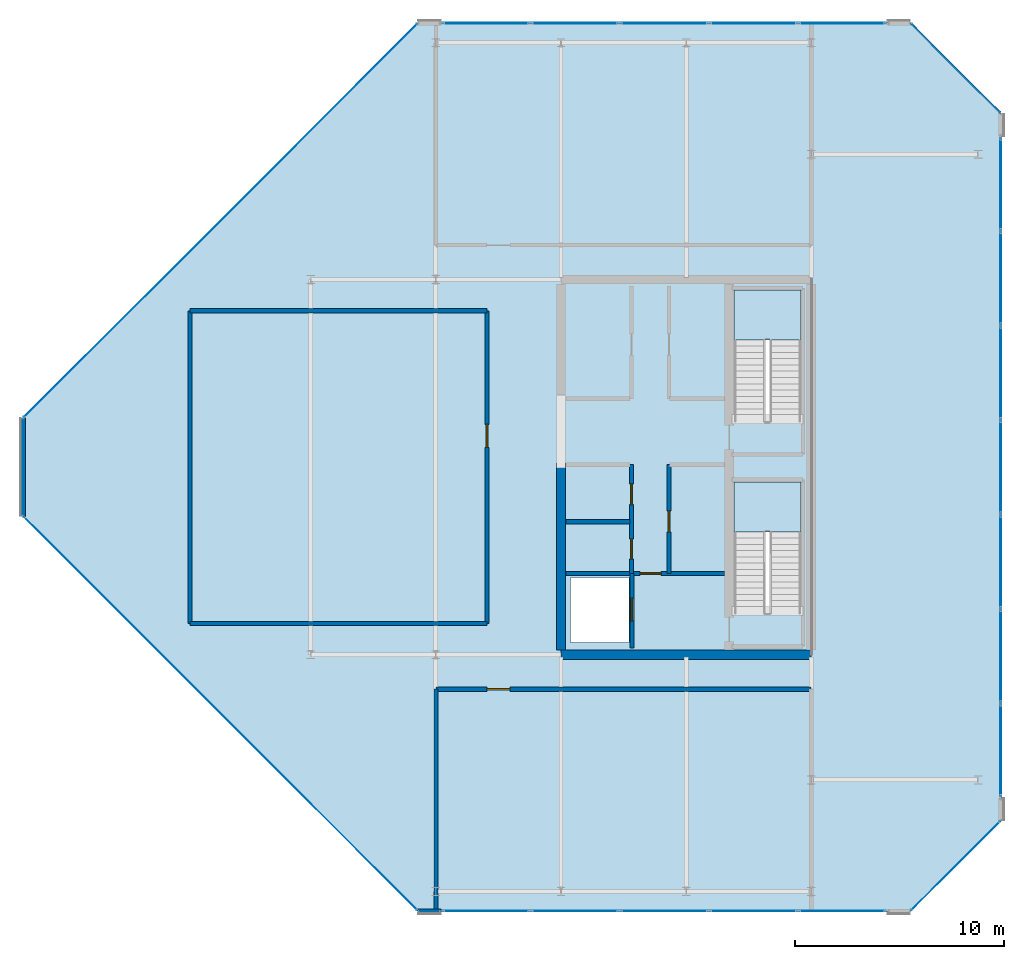
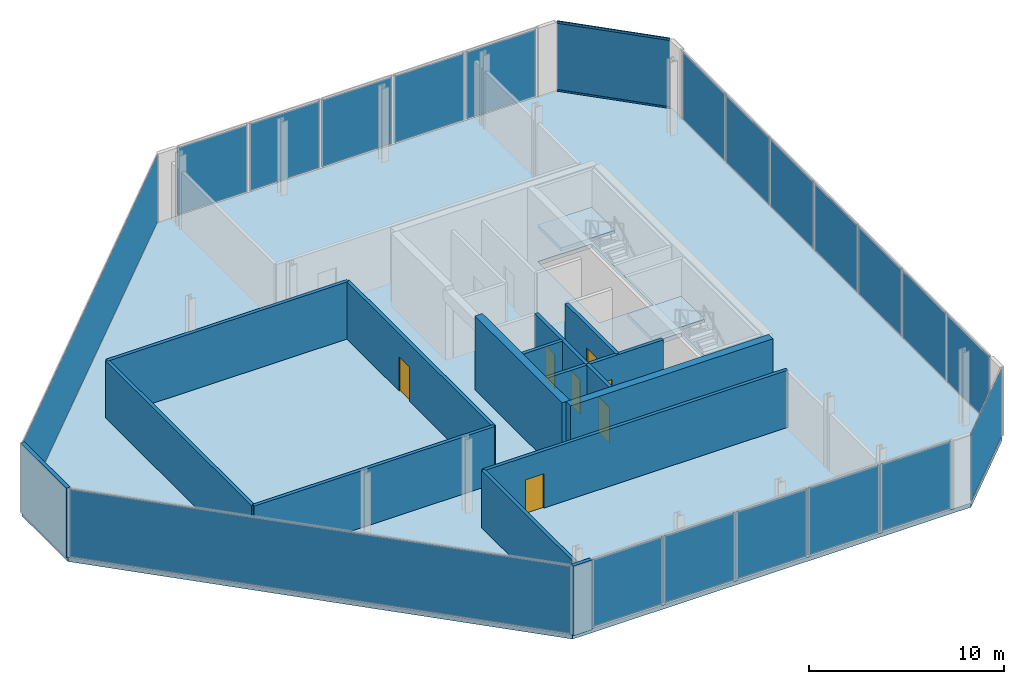
# One storey, part 13 of 16: 21 plates, 15 walls, 7 doors, 3 slabs, 2 members, 7 openings, 9 elements without a shape of their own.
"""IFC4 building model written with IfcOpenShell, lengths in metres."""

from ifc_helpers import new_model, si_unit, direction, frame, frame_2d, origin, origin_2d, place, context, subcontext, project, spatial, polyline, rectangle, hollow_rectangle, outline, extrude, material, layer, layer_set, material_profile, profile_set, type_object, element, fill, aggregate, save


model = new_model("IFC4")

# Units and contexts
model_context = context("Model", 3, precision=1e-05, world=origin(), true_north=direction((0.0, 1.0)))
body_context = subcontext(model_context, "Body", "Model", "MODEL_VIEW")
ifc_project = project(units=[si_unit("LENGTHUNIT", "METRE"), si_unit("AREAUNIT", "SQUARE_METRE"), si_unit("VOLUMEUNIT", "CUBIC_METRE"), si_unit("PLANEANGLEUNIT", "RADIAN"), si_unit("MASSUNIT", "GRAM", prefix="KILO")], contexts=[model_context])

# Site, building, storey
site_placement = place(None, origin())
site = spatial("IfcSite", under=ifc_project, at=site_placement, CompositionType="ELEMENT")
building_placement = place(site_placement, origin())
building = spatial("IfcBuilding", under=site, at=building_placement, Name="Tanjung Sevakor Pilgrim Tower", CompositionType="ELEMENT")
storey_placement = place(building_placement, frame((0.0, 0.0, 283.139892578125)))
storey = spatial("IfcBuildingStorey", under=building, at=storey_placement, Name="L79", CompositionType="ELEMENT", Elevation=283.139892578125)

# Curtain wall, members
ifc_material_1 = material(Name="Aluminium 6063-T6 and Low-E Glass", Category="aluminium")
ifc_layer_1 = layer(ifc_material_1, 0.179931640625)
ifc_layer_set_1 = layer_set([ifc_layer_1], Name="CW-SYS-CHAM")
curtain_wall_type_1 = type_object("IfcCurtainWallType", Name="CW-SYS-CHAM", PredefinedType="NOTDEFINED", material=ifc_layer_set_1)
curtain_wall_1_placement = place(storey_placement, origin())
curtain_wall_1 = element("IfcCurtainWall", 1, at=curtain_wall_1_placement, inside=storey, type_object=curtain_wall_type_1, Name="L79 Curtain Wall CW-CHM-L79-EAST-3", PredefinedType="NOTDEFINED")
ifc_material_2 = material(Name="Aluminium 6063-T6", Category="aluminium")
ifc_material_profile = material_profile(ifc_material_2, hollow_rectangle(XDim=0.06494140625, YDim=0.139892578125, WallThickness=0.00390625, at=origin_2d()))
ifc_profile_set = profile_set([ifc_material_profile], Name="Aluminium 6063-T6")
member_type = type_object("IfcMemberType", Name="TYPE-CWT-1", PredefinedType="USERDEFINED", material=ifc_profile_set)
member_1_placement = place(storey_placement, frame((99.0439453125, 50.600341796875, 0.03271484375), z_axis=(-0.707106781187, 0.707106781187, 0.0), x_axis=(-0.707106781187, -0.707106781187, 0.0)))
member_1 = element("IfcMember", 2, at=member_1_placement, type_object=member_type, Name="CW-CHM transom 1.1", ObjectType="TRANSOM", PredefinedType="USERDEFINED", context=body_context, shape_type="SweptSolid", body=[
    extrude(hollow_rectangle(XDim=0.06494140625, YDim=0.139892578125, WallThickness=0.00390625, at=origin_2d()), origin(), (0.0, 0.0, 1.0), 6.00146484375),
])
member_2_placement = place(storey_placement, frame((99.0439453125, 50.600341796875, 4.32763671875), z_axis=(-0.707106781187, 0.707106781187, 0.0), x_axis=(-0.707106781187, -0.707106781187, 0.0)))
member_2 = element("IfcMember", 3, at=member_2_placement, type_object=member_type, Name="CW-CHM transom 1.2", ObjectType="TRANSOM", PredefinedType="USERDEFINED", context=body_context, shape_type="SweptSolid", body=[
    extrude(hollow_rectangle(XDim=0.06494140625, YDim=0.139892578125, WallThickness=0.00390625, at=origin_2d()), origin(), (0.0, 0.0, 1.0), 6.00146484375),
])

# Slab
ifc_material_3 = material(Name="Concrete C40/50", Category="concrete")
ifc_layer_2 = layer(ifc_material_3, 0.260009765625)
ifc_layer_set_2 = layer_set([ifc_layer_2], Name="SL-CRN-260")
slab_type_1 = type_object("IfcSlabType", Name="SL-CRN-260", PredefinedType="FLOOR", material=ifc_layer_set_2)
slab_1_placement = place(storey_placement, frame((0.0, 0.0, -0.260009765625)))
element("IfcSlab", 4, at=slab_1_placement, inside=storey, type_object=slab_type_1, Name="L79 Floor Slab EAST", PredefinedType="FLOOR", context=body_context, shape_type="SweptSolid", body=[
    extrude(outline(polyline([(71.14697265625, 12.280029296875), (94.753173828125, 12.280029296875), (99.1201171875, 16.64697265625), (99.1201171875, 50.552978515625), (94.753173828125, 54.919921875), (71.14697265625, 54.919921875), (52.179931640625, 35.953125), (52.179931640625, 31.246826171875), (71.14697265625, 12.280029296875)]), holes=[polyline([(89.5, 26.60009765625), (89.5, 32.89990234375), (86.300048828125, 32.89990234375), (86.300048828125, 26.60009765625), (89.5, 26.60009765625)]), polyline([(89.5, 35.800048828125), (89.5, 42.10009765625), (86.300048828125, 42.10009765625), (86.300048828125, 35.800048828125), (89.5, 35.800048828125)]), polyline([(78.449951171875, 25.199951171875), (81.25, 25.199951171875), (81.25, 28.300048828125), (78.449951171875, 28.300048828125), (78.449951171875, 25.199951171875)])]), origin(), (0.0, 0.0, 1.0), 0.260009765625),
])

# Stair, slab
ifc_material_4 = material(Name="Concrete C40/50", Category="concrete")
stair_type = type_object("IfcStairType", Name="STAIR-ST-CR150", PredefinedType="HALF_TURN_STAIR", material=ifc_material_4)
stair_1_placement = place(storey_placement, origin())
stair_1 = element("IfcStair", 5, at=stair_1_placement, inside=storey, type_object=stair_type, Name="L79 East Core Exit Stair 1", PredefinedType="HALF_TURN_STAIR")
ifc_material_5 = material(Name="Concrete C40/50", Category="concrete")
ifc_layer_3 = layer(ifc_material_5, 0.199951171875)
ifc_layer_set_3 = layer_set([ifc_layer_3], Name="SL-LAND-200")
slab_type_2 = type_object("IfcSlabType", Name="SL-LAND-200", PredefinedType="LANDING", material=ifc_layer_set_3)
slab_2_placement = place(storey_placement, frame((0.0, 0.0, 2.110107421875)))
slab_2 = element("IfcSlab", 6, at=slab_2_placement, type_object=slab_type_2, Name="TS-E1 landing 1", PredefinedType="LANDING", context=body_context, shape_type="SweptSolid", body=[
    extrude(outline(polyline([(89.5, 30.5), (89.5, 32.89990234375), (86.300048828125, 32.89990234375), (86.300048828125, 30.5), (89.5, 30.5)])), origin(), (0.0, 0.0, 1.0), 0.199951171875),
])
aggregate(stair_1, [slab_2])

stair_2_placement = place(storey_placement, origin())
stair_2 = element("IfcStair", 7, at=stair_2_placement, inside=storey, type_object=stair_type, Name="L79 East Core Exit Stair 2", PredefinedType="HALF_TURN_STAIR")
slab_3_placement = place(storey_placement, frame((0.0, 0.0, 2.110107421875)))
slab_3 = element("IfcSlab", 8, at=slab_3_placement, type_object=slab_type_2, Name="TS-E2 landing 1", PredefinedType="LANDING", context=body_context, shape_type="SweptSolid", body=[
    extrude(outline(polyline([(89.5, 39.699951171875), (89.5, 42.10009765625), (86.300048828125, 42.10009765625), (86.300048828125, 39.699951171875), (89.5, 39.699951171875)])), origin(), (0.0, 0.0, 1.0), 0.199951171875),
])
aggregate(stair_2, [slab_3])

# Curtain wall, plates
ifc_material_6 = material(Name="Aluminium 6063-T6 and Low-E Glass", Category="aluminium")
ifc_layer_4 = layer(ifc_material_6, 0.219970703125)
ifc_layer_set_4 = layer_set([ifc_layer_4], Name="CW-SYS-CRNE")
curtain_wall_type_2 = type_object("IfcCurtainWallType", Name="CW-SYS-CRNE", PredefinedType="NOTDEFINED", material=ifc_layer_set_4)
curtain_wall_2_placement = place(storey_placement, origin())
curtain_wall_2 = element("IfcCurtainWall", 9, at=curtain_wall_2_placement, inside=storey, type_object=curtain_wall_type_2, Name="L79 Curtain Wall CW-CRN-L79-EAST-0-1", PredefinedType="NOTDEFINED")
ifc_material_7 = material(Name="Laminated Low-E Double Glazing", Category="glass")
ifc_layer_5 = layer(ifc_material_7, 0.028076171875)
ifc_layer_set_5 = layer_set([ifc_layer_5], Name="TYPE-CWP-GLZ1")
plate_type = type_object("IfcPlateType", Name="TYPE-CWP-GLZ1", PredefinedType="CURTAIN_PANEL", material=ifc_layer_set_5)
plate_1_placement = place(storey_placement, frame((74.406494140625, 12.31005859375, 0.080078125), z_axis=(0.0, 0.0, 1.0), x_axis=(1.0, 0.0, 0.0)))
plate_1 = element("IfcPlate", 10, at=plate_1_placement, type_object=plate_type, Name="CW-CRE panel 1.1", PredefinedType="CURTAIN_PANEL", context=body_context, shape_type="SweptSolid", body=[
    extrude(rectangle(XDim=4.161865234375, YDim=0.028076171875, at=origin_2d()), origin(), (0.0, 0.0, 1.0), 4.199951171875),
])
plate_2_placement = place(storey_placement, frame((78.668212890625, 12.31005859375, 0.080078125), z_axis=(0.0, 0.0, 1.0), x_axis=(1.0, 0.0, 0.0)))
plate_2 = element("IfcPlate", 11, at=plate_2_placement, type_object=plate_type, Name="CW-CRE panel 2.1", PredefinedType="CURTAIN_PANEL", context=body_context, shape_type="SweptSolid", body=[
    extrude(rectangle(XDim=4.20166015625, YDim=0.028076171875, at=origin_2d()), origin(), (0.0, 0.0, 1.0), 4.199951171875),
])
plate_3_placement = place(storey_placement, frame((82.949951171875, 12.31005859375, 0.080078125), z_axis=(0.0, 0.0, 1.0), x_axis=(1.0, 0.0, 0.0)))
plate_3 = element("IfcPlate", 12, at=plate_3_placement, type_object=plate_type, Name="CW-CRE panel 3.1", PredefinedType="CURTAIN_PANEL", context=body_context, shape_type="SweptSolid", body=[
    extrude(rectangle(XDim=4.20166015625, YDim=0.028076171875, at=origin_2d()), origin(), (0.0, 0.0, 1.0), 4.199951171875),
])
plate_4_placement = place(storey_placement, frame((87.231689453125, 12.31005859375, 0.080078125), z_axis=(0.0, 0.0, 1.0), x_axis=(1.0, 0.0, 0.0)))
plate_4 = element("IfcPlate", 13, at=plate_4_placement, type_object=plate_type, Name="CW-CRE panel 4.1", PredefinedType="CURTAIN_PANEL", context=body_context, shape_type="SweptSolid", body=[
    extrude(rectangle(XDim=4.20166015625, YDim=0.028076171875, at=origin_2d()), origin(), (0.0, 0.0, 1.0), 4.199951171875),
])
plate_5_placement = place(storey_placement, frame((91.493408203125, 12.31005859375, 0.080078125), z_axis=(0.0, 0.0, 1.0), x_axis=(1.0, 0.0, 0.0)))
plate_5 = element("IfcPlate", 14, at=plate_5_placement, type_object=plate_type, Name="CW-CRE panel 5.1", PredefinedType="CURTAIN_PANEL", context=body_context, shape_type="SweptSolid", body=[
    extrude(rectangle(XDim=4.161865234375, YDim=0.028076171875, at=origin_2d()), origin(), (0.0, 0.0, 1.0), 4.199951171875),
])
aggregate(curtain_wall_2, [plate_1, plate_2, plate_3, plate_4, plate_5])

# Curtain wall, plate
curtain_wall_3_placement = place(storey_placement, origin())
curtain_wall_3 = element("IfcCurtainWall", 15, at=curtain_wall_3_placement, inside=storey, type_object=curtain_wall_type_1, Name="L79 Curtain Wall CW-CHM-L79-EAST-1", PredefinedType="NOTDEFINED")
plate_6_placement = place(storey_placement, frame((96.922119140625, 14.477783203125, 0.065185546875), z_axis=(0.0, 0.0, 1.0), x_axis=(0.707106781187, 0.707106781187, 0.0)))
plate_6 = element("IfcPlate", 16, at=plate_6_placement, type_object=plate_type, Name="CW-CHM panel 1.1", PredefinedType="CURTAIN_PANEL", context=body_context, shape_type="SweptSolid", body=[
    extrude(rectangle(XDim=6.00146484375, YDim=0.028076171875, at=origin_2d()), origin(), (0.0, 0.0, 1.0), 4.22998046875),
])
aggregate(curtain_wall_3, [plate_6])

# Curtain wall, plates
curtain_wall_4_placement = place(storey_placement, origin())
curtain_wall_4 = element("IfcCurtainWall", 17, at=curtain_wall_4_placement, inside=storey, type_object=curtain_wall_type_2, Name="L79 Curtain Wall CW-CRN-L79-EAST-2-1", PredefinedType="NOTDEFINED")
plate_7_placement = place(storey_placement, frame((99.090087890625, 20.030517578125, 0.080078125), z_axis=(0.0, 0.0, 1.0), x_axis=(0.0, 1.0, 0.0)))
plate_7 = element("IfcPlate", 18, at=plate_7_placement, type_object=plate_type, Name="CW-CRE panel 1.1", PredefinedType="CURTAIN_PANEL", context=body_context, shape_type="SweptSolid", body=[
    extrude(rectangle(XDim=4.409912109375, YDim=0.028076171875, at=origin_2d()), origin(), (0.0, 0.0, 1.0), 4.199951171875),
])
plate_8_placement = place(storey_placement, frame((99.090087890625, 24.540283203125, 0.080078125), z_axis=(0.0, 0.0, 1.0), x_axis=(0.0, 1.0, 0.0)))
plate_8 = element("IfcPlate", 19, at=plate_8_placement, type_object=plate_type, Name="CW-CRE panel 2.1", PredefinedType="CURTAIN_PANEL", context=body_context, shape_type="SweptSolid", body=[
    extrude(rectangle(XDim=4.44970703125, YDim=0.028076171875, at=origin_2d()), origin(), (0.0, 0.0, 1.0), 4.199951171875),
])
plate_9_placement = place(storey_placement, frame((99.090087890625, 29.070068359375, 0.080078125), z_axis=(0.0, 0.0, 1.0), x_axis=(0.0, 1.0, 0.0)))
plate_9 = element("IfcPlate", 20, at=plate_9_placement, type_object=plate_type, Name="CW-CRE panel 3.1", PredefinedType="CURTAIN_PANEL", context=body_context, shape_type="SweptSolid", body=[
    extrude(rectangle(XDim=4.44970703125, YDim=0.028076171875, at=origin_2d()), origin(), (0.0, 0.0, 1.0), 4.199951171875),
])
plate_10_placement = place(storey_placement, frame((99.090087890625, 33.60009765625, 0.080078125), z_axis=(0.0, 0.0, 1.0), x_axis=(0.0, 1.0, 0.0)))
plate_10 = element("IfcPlate", 21, at=plate_10_placement, type_object=plate_type, Name="CW-CRE panel 4.1", PredefinedType="CURTAIN_PANEL", context=body_context, shape_type="SweptSolid", body=[
    extrude(rectangle(XDim=4.44970703125, YDim=0.028076171875, at=origin_2d()), origin(), (0.0, 0.0, 1.0), 4.199951171875),
])
plate_11_placement = place(storey_placement, frame((99.090087890625, 38.1298828125, 0.080078125), z_axis=(0.0, 0.0, 1.0), x_axis=(0.0, 1.0, 0.0)))
plate_11 = element("IfcPlate", 22, at=plate_11_placement, type_object=plate_type, Name="CW-CRE panel 5.1", PredefinedType="CURTAIN_PANEL", context=body_context, shape_type="SweptSolid", body=[
    extrude(rectangle(XDim=4.44970703125, YDim=0.028076171875, at=origin_2d()), origin(), (0.0, 0.0, 1.0), 4.199951171875),
])
plate_12_placement = place(storey_placement, frame((99.090087890625, 42.65966796875, 0.080078125), z_axis=(0.0, 0.0, 1.0), x_axis=(0.0, 1.0, 0.0)))
plate_12 = element("IfcPlate", 23, at=plate_12_placement, type_object=plate_type, Name="CW-CRE panel 6.1", PredefinedType="CURTAIN_PANEL", context=body_context, shape_type="SweptSolid", body=[
    extrude(rectangle(XDim=4.44970703125, YDim=0.028076171875, at=origin_2d()), origin(), (0.0, 0.0, 1.0), 4.199951171875),
])
plate_13_placement = place(storey_placement, frame((99.090087890625, 47.16943359375, 0.080078125), z_axis=(0.0, 0.0, 1.0), x_axis=(0.0, 1.0, 0.0)))
plate_13 = element("IfcPlate", 24, at=plate_13_placement, type_object=plate_type, Name="CW-CRE panel 7.1", PredefinedType="CURTAIN_PANEL", context=body_context, shape_type="SweptSolid", body=[
    extrude(rectangle(XDim=4.409912109375, YDim=0.028076171875, at=origin_2d()), origin(), (0.0, 0.0, 1.0), 4.199951171875),
])
aggregate(curtain_wall_4, [plate_7, plate_8, plate_9, plate_10, plate_11, plate_12, plate_13])

# Plate
plate_14_placement = place(storey_placement, frame((96.922119140625, 52.72216796875, 0.065185546875), z_axis=(0.0, 0.0, 1.0), x_axis=(-0.707106781187, 0.707106781187, 0.0)))
plate_14 = element("IfcPlate", 25, at=plate_14_placement, type_object=plate_type, Name="CW-CHM panel 1.1", PredefinedType="CURTAIN_PANEL", context=body_context, shape_type="SweptSolid", body=[
    extrude(rectangle(XDim=6.00146484375, YDim=0.028076171875, at=origin_2d()), origin(), (0.0, 0.0, 1.0), 4.22998046875),
])

aggregate(curtain_wall_1, [member_1, member_2, plate_14])

# Curtain wall, plates
curtain_wall_5_placement = place(storey_placement, origin())
curtain_wall_5 = element("IfcCurtainWall", 26, at=curtain_wall_5_placement, inside=storey, type_object=curtain_wall_type_2, Name="L79 Curtain Wall CW-CRN-L79-EAST-4-1", PredefinedType="NOTDEFINED")
plate_15_placement = place(storey_placement, frame((91.493408203125, 54.889892578125, 0.080078125), z_axis=(0.0, 0.0, 1.0), x_axis=(-1.0, 0.0, 0.0)))
plate_15 = element("IfcPlate", 27, at=plate_15_placement, type_object=plate_type, Name="CW-CRE panel 1.1", PredefinedType="CURTAIN_PANEL", context=body_context, shape_type="SweptSolid", body=[
    extrude(rectangle(XDim=4.161865234375, YDim=0.028076171875, at=origin_2d()), origin(), (0.0, 0.0, 1.0), 4.199951171875),
])
plate_16_placement = place(storey_placement, frame((87.231689453125, 54.889892578125, 0.080078125), z_axis=(0.0, 0.0, 1.0), x_axis=(-1.0, 0.0, 0.0)))
plate_16 = element("IfcPlate", 28, at=plate_16_placement, type_object=plate_type, Name="CW-CRE panel 2.1", PredefinedType="CURTAIN_PANEL", context=body_context, shape_type="SweptSolid", body=[
    extrude(rectangle(XDim=4.20166015625, YDim=0.028076171875, at=origin_2d()), origin(), (0.0, 0.0, 1.0), 4.199951171875),
])
plate_17_placement = place(storey_placement, frame((82.949951171875, 54.889892578125, 0.080078125), z_axis=(0.0, 0.0, 1.0), x_axis=(-1.0, 0.0, 0.0)))
plate_17 = element("IfcPlate", 29, at=plate_17_placement, type_object=plate_type, Name="CW-CRE panel 3.1", PredefinedType="CURTAIN_PANEL", context=body_context, shape_type="SweptSolid", body=[
    extrude(rectangle(XDim=4.20166015625, YDim=0.028076171875, at=origin_2d()), origin(), (0.0, 0.0, 1.0), 4.199951171875),
])
plate_18_placement = place(storey_placement, frame((78.668212890625, 54.889892578125, 0.080078125), z_axis=(0.0, 0.0, 1.0), x_axis=(-1.0, 0.0, 0.0)))
plate_18 = element("IfcPlate", 30, at=plate_18_placement, type_object=plate_type, Name="CW-CRE panel 4.1", PredefinedType="CURTAIN_PANEL", context=body_context, shape_type="SweptSolid", body=[
    extrude(rectangle(XDim=4.20166015625, YDim=0.028076171875, at=origin_2d()), origin(), (0.0, 0.0, 1.0), 4.199951171875),
])
plate_19_placement = place(storey_placement, frame((74.406494140625, 54.889892578125, 0.080078125), z_axis=(0.0, 0.0, 1.0), x_axis=(-1.0, 0.0, 0.0)))
plate_19 = element("IfcPlate", 31, at=plate_19_placement, type_object=plate_type, Name="CW-CRE panel 5.1", PredefinedType="CURTAIN_PANEL", context=body_context, shape_type="SweptSolid", body=[
    extrude(rectangle(XDim=4.161865234375, YDim=0.028076171875, at=origin_2d()), origin(), (0.0, 0.0, 1.0), 4.199951171875),
])
aggregate(curtain_wall_5, [plate_15, plate_16, plate_17, plate_18, plate_19])

# Curtain wall, plate
curtain_wall_6_placement = place(storey_placement, origin())
curtain_wall_6 = element("IfcCurtainWall", 32, at=curtain_wall_6_placement, inside=storey, type_object=curtain_wall_type_1, Name="L79 Curtain Wall CW-CHM-L79-EAST-5", PredefinedType="NOTDEFINED")
plate_20_placement = place(storey_placement, frame((61.677734375, 45.422119140625, 0.065185546875), z_axis=(0.0, 0.0, 1.0), x_axis=(-0.707106781187, -0.707106781187, 0.0)))
plate_20 = element("IfcPlate", 33, at=plate_20_placement, type_object=plate_type, Name="CW-CHM panel 1.1", PredefinedType="CURTAIN_PANEL", context=body_context, shape_type="SweptSolid", body=[
    extrude(rectangle(XDim=26.64892578125, YDim=0.028076171875, at=origin_2d()), origin(), (0.0, 0.0, 1.0), 4.22998046875),
])
aggregate(curtain_wall_6, [plate_20])

curtain_wall_7_placement = place(storey_placement, origin())
curtain_wall_7 = element("IfcCurtainWall", 34, at=curtain_wall_7_placement, inside=storey, type_object=curtain_wall_type_1, Name="L79 Curtain Wall CW-CHM-L79-EAST-7", PredefinedType="NOTDEFINED")
plate_21_placement = place(storey_placement, frame((61.677734375, 21.77783203125, 0.065185546875), z_axis=(0.0, 0.0, 1.0), x_axis=(0.707106781187, -0.707106781187, 0.0)))
plate_21 = element("IfcPlate", 35, at=plate_21_placement, type_object=plate_type, Name="CW-CHM panel 1.1", PredefinedType="CURTAIN_PANEL", context=body_context, shape_type="SweptSolid", body=[
    extrude(rectangle(XDim=26.64892578125, YDim=0.028076171875, at=origin_2d()), origin(), (0.0, 0.0, 1.0), 4.22998046875),
])
aggregate(curtain_wall_7, [plate_21])

# Walls
ifc_material_8 = material(Name="Concrete C60/75", Category="concrete")
ifc_layer_6 = layer(ifc_material_8, 0.449951171875)
ifc_layer_set_6 = layer_set([ifc_layer_6], Name="WALL-CW-450")
wall_type_1 = type_object("IfcWallType", Name="WALL-CW-450", PredefinedType="SHEAR", material=ifc_layer_set_6)
wall_1_placement = place(storey_placement, frame((78.0, 24.60009765625, 0.0), z_axis=(0.0, 0.0, 1.0), x_axis=(1.0, 0.0, 0.0)))
element("IfcWall", 36, at=wall_1_placement, inside=storey, type_object=wall_type_1, Name="L79 E Core South Shear Wall", PredefinedType="SHEAR", context=body_context, shape_type="SweptSolid", body=[
    extrude(rectangle(XDim=12.0, YDim=0.449951171875, at=frame_2d((6.0, 0.0))), origin(), (0.0, 0.0, 1.0), 4.6201171875),
])
wall_2_placement = place(storey_placement, frame((78.0, 24.824951171875, 0.0), z_axis=(0.0, 0.0, 1.0), x_axis=(0.0, 1.0, 0.0)))
element("IfcWall", 37, at=wall_2_placement, inside=storey, type_object=wall_type_1, Name="L79 E Core Inner Shear Wall South", PredefinedType="SHEAR", context=body_context, shape_type="SweptSolid", body=[
    extrude(rectangle(XDim=8.97509765625, YDim=0.449951171875, at=frame_2d((4.487548828125, 0.0))), origin(), (0.0, 0.0, 1.0), 4.6201171875),
])
ifc_material_9 = material(Name="Precast concrete C45/55", Category="concrete")
ifc_layer_7 = layer(ifc_material_9, 0.219970703125)
ifc_layer_set_7 = layer_set([ifc_layer_7], Name="WT-EW-STN4")
wall_type_2 = type_object("IfcWallType", Name="WT-EW-STN4", PredefinedType="SOLIDWALL", material=ifc_layer_set_7)
wall_3_placement = place(storey_placement, frame((71.1455078125, 12.31005859375, 0.0), z_axis=(0.0, 0.0, 1.0), x_axis=(1.0, 0.0, 0.0)))
element("IfcWall", 38, at=wall_3_placement, inside=storey, type_object=wall_type_2, Name="L79 EAST Crown Pier 0-1A", PredefinedType="SOLIDWALL", context=body_context, shape_type="SweptSolid", body=[
    extrude(rectangle(XDim=1.10009765625, YDim=0.219970703125, at=frame_2d((0.550048828125, 0.0))), origin(), (0.0, 0.0, 1.0), 4.360107421875),
])
wall_4_placement = place(storey_placement, frame((52.2099609375, 35.954345703125, 0.0), z_axis=(0.0, 0.0, 1.0), x_axis=(0.0, -1.0, 0.0)))
element("IfcWall", 39, at=wall_4_placement, inside=storey, type_object=wall_type_2, Name="L79 EAST Exterior Wall 7", PredefinedType="SOLIDWALL", context=body_context, shape_type="SweptSolid", body=[
    extrude(rectangle(XDim=4.708740234375, YDim=0.219970703125, at=frame_2d((2.3544921875, 0.0))), origin(), (0.0, 0.0, 1.0), 4.360107421875),
])

# Wall, opening, door
ifc_material_10 = material(Name="Concrete C40/50", Category="concrete")
ifc_layer_8 = layer(ifc_material_10, 0.199951171875)
ifc_layer_set_8 = layer_set([ifc_layer_8], Name="WT-FPRT-200")
wall_type_3 = type_object("IfcWallType", Name="WT-FPRT-200", PredefinedType="SOLIDWALL", material=ifc_layer_set_8)
wall_5_placement = place(storey_placement, frame((81.39990234375, 24.919921875, 0.0), z_axis=(0.0, 0.0, 1.0), x_axis=(0.0, 1.0, 0.0)))
wall_5 = element("IfcWall", 40, at=wall_5_placement, inside=storey, type_object=wall_type_3, Name="L79 Partition IW-L79-001", PredefinedType="SOLIDWALL", context=body_context, shape_type="SweptSolid", body=[
    extrude(rectangle(XDim=3.580078125, YDim=0.199951171875, at=frame_2d((1.7900390625, 0.0))), origin(), (0.0, 0.0, 1.0), 3.580078125),
])
opening_1_placement = place(wall_5_placement, frame((1.300048828125, 0.0, 0.0)))
opening_1 = element("IfcOpeningElement", 41, at=opening_1_placement, cuts=wall_5, Name="Opening LD-1100", PredefinedType="OPENING", context=body_context, shape_type="SweptSolid", body=[
    extrude(rectangle(XDim=1.10009765625, YDim=2.199951171875, at=frame_2d((0.550048828125, 1.10009765625))), frame((0.0, 0.10986328125, 0.0), z_axis=(0.0, -1.0, 0.0), x_axis=(1.0, 0.0, 0.0)), (0.0, 0.0, 1.0), 0.219970703125),
])
ifc_material_11 = material(Name="Brushed Stainless Steel S355J2", Category="steel")
door_type_1 = type_object("IfcDoorType", Name="DT-LIFT-1100", OperationType="SLIDING_TO_LEFT", PredefinedType="DOOR", material=ifc_material_11)
door_1_placement = place(opening_1_placement, origin())
door_1 = element("IfcDoor", 42, at=door_1_placement, inside=storey, type_object=door_type_1, Name="LD-FL-E", OperationType="SLIDING_TO_LEFT", OverallHeight=2.199951171875, OverallWidth=1.10009765625, PredefinedType="DOOR", context=body_context, shape_type="SweptSolid", body=[
    extrude(rectangle(XDim=1.10009765625, YDim=2.199951171875, at=frame_2d((0.550048828125, 1.10009765625))), frame((0.0, 0.02490234375, 0.0), z_axis=(0.0, -1.0, 0.0), x_axis=(1.0, 0.0, 0.0)), (0.0, 0.0, 1.0), 0.050048828125),
])
fill(opening_1, door_1)

wall_6_placement = place(storey_placement, frame((78.2451171875, 28.5, 0.0), z_axis=(0.0, 0.0, 1.0), x_axis=(1.0, 0.0, 0.0)))
wall_6 = element("IfcWall", 43, at=wall_6_placement, inside=storey, type_object=wall_type_3, Name="L79 Partition IW-L79-002", PredefinedType="SOLIDWALL", context=body_context, shape_type="SweptSolid", body=[
    extrude(rectangle(XDim=7.5849609375, YDim=0.199951171875, at=frame_2d((3.79248046875, 0.0))), origin(), (0.0, 0.0, 1.0), 3.580078125),
])
opening_2_placement = place(wall_6_placement, frame((3.554931640625, 0.0, 0.0)))
opening_2 = element("IfcOpeningElement", 44, at=opening_2_placement, cuts=wall_6, Name="Opening ID-FD1", PredefinedType="OPENING", context=body_context, shape_type="SweptSolid", body=[
    extrude(rectangle(XDim=1.0, YDim=2.14990234375, at=frame_2d((0.5, 1.074951171875))), frame((0.0, 0.10986328125, 0.0), z_axis=(0.0, -1.0, 0.0), x_axis=(1.0, 0.0, 0.0)), (0.0, 0.0, 1.0), 0.219970703125),
])
ifc_material_12 = material(Name="Fire-Rated Steel S355J2", Category="steel")
door_type_2 = type_object("IfcDoorType", Name="DT-FIRE-1000", OperationType="NOTDEFINED", PredefinedType="DOOR", material=ifc_material_12)
door_2_placement = place(opening_2_placement, origin())
door_2 = element("IfcDoor", 45, at=door_2_placement, inside=storey, type_object=door_type_2, Name="Fire Lobby Door E", OperationType="SINGLE_SWING_RIGHT", OverallHeight=2.14990234375, OverallWidth=1.0, PredefinedType="DOOR", context=body_context, shape_type="SweptSolid", body=[
    extrude(rectangle(XDim=1.0, YDim=2.14990234375, at=frame_2d((0.5, 1.074951171875))), frame((0.0, 0.02490234375, 0.0), z_axis=(0.0, -1.0, 0.0), x_axis=(1.0, 0.0, 0.0)), (0.0, 0.0, 1.0), 0.050048828125),
])
fill(opening_2, door_2)

wall_7_placement = place(storey_placement, frame((83.179931640625, 28.5, 0.0), z_axis=(0.0, 0.0, 1.0), x_axis=(0.0, 1.0, 0.0)))
wall_7 = element("IfcWall", 46, at=wall_7_placement, inside=storey, type_object=wall_type_3, Name="L79 Partition IW-L79-004", PredefinedType="SOLIDWALL", context=body_context, shape_type="SweptSolid", body=[
    extrude(rectangle(XDim=5.219970703125, YDim=0.199951171875, at=frame_2d((2.60986328125, 0.0))), origin(), (0.0, 0.0, 1.0), 3.580078125),
])
opening_3_placement = place(wall_7_placement, frame((2.0, 0.0, 0.0)))
opening_3 = element("IfcOpeningElement", 47, at=opening_3_placement, cuts=wall_7, Name="Opening ID-FD1", PredefinedType="OPENING", context=body_context, shape_type="SweptSolid", body=[
    extrude(rectangle(XDim=1.0, YDim=2.14990234375, at=frame_2d((0.5, 1.074951171875))), frame((0.0, 0.10986328125, 0.0), z_axis=(0.0, -1.0, 0.0), x_axis=(1.0, 0.0, 0.0)), (0.0, 0.0, 1.0), 0.219970703125),
])
door_3_placement = place(opening_3_placement, origin())
door_3 = element("IfcDoor", 48, at=door_3_placement, inside=storey, type_object=door_type_2, Name="L79 Core Plant Door", OperationType="SINGLE_SWING_LEFT", OverallHeight=2.14990234375, OverallWidth=1.0, PredefinedType="DOOR", context=body_context, shape_type="SweptSolid", body=[
    extrude(rectangle(XDim=1.0, YDim=2.14990234375, at=frame_2d((0.5, 1.074951171875))), frame((0.0, 0.02490234375, 0.0), z_axis=(0.0, -1.0, 0.0), x_axis=(1.0, 0.0, 0.0)), (0.0, 0.0, 1.0), 0.050048828125),
])
fill(opening_3, door_3)

# Wall
wall_8_placement = place(storey_placement, frame((78.2451171875, 30.97998046875, 0.0), z_axis=(0.0, 0.0, 1.0), x_axis=(1.0, 0.0, 0.0)))
element("IfcWall", 49, at=wall_8_placement, inside=storey, type_object=wall_type_3, Name="L79 Partition IW-L79-005", PredefinedType="SOLIDWALL", context=body_context, shape_type="SweptSolid", body=[
    extrude(rectangle(XDim=3.074951171875, YDim=0.199951171875, at=frame_2d((1.53759765625, 0.0))), origin(), (0.0, 0.0, 1.0), 3.580078125),
])

# Wall, openings, doors
wall_9_placement = place(storey_placement, frame((81.3798828125, 28.5, 0.0), z_axis=(0.0, 0.0, 1.0), x_axis=(0.0, 1.0, 0.0)))
wall_9 = element("IfcWall", 50, at=wall_9_placement, inside=storey, type_object=wall_type_3, Name="L79 Partition IW-L79-007", PredefinedType="SOLIDWALL", context=body_context, shape_type="SweptSolid", body=[
    extrude(rectangle(XDim=5.219970703125, YDim=0.199951171875, at=frame_2d((2.60986328125, 0.0))), origin(), (0.0, 0.0, 1.0), 3.580078125),
])
opening_4_placement = place(wall_9_placement, frame((0.699951171875, 0.0, 0.0)))
opening_4 = element("IfcOpeningElement", 51, at=opening_4_placement, cuts=wall_9, Name="Opening ID-FD2", PredefinedType="OPENING", context=body_context, shape_type="SweptSolid", body=[
    extrude(rectangle(XDim=0.949951171875, YDim=2.14990234375, at=frame_2d((0.47509765625, 1.074951171875))), frame((0.0, 0.10986328125, 0.0), z_axis=(0.0, -1.0, 0.0), x_axis=(1.0, 0.0, 0.0)), (0.0, 0.0, 1.0), 0.219970703125),
])
opening_5_placement = place(wall_9_placement, frame((3.300048828125, 0.0, 0.0)))
opening_5 = element("IfcOpeningElement", 52, at=opening_5_placement, cuts=wall_9, Name="Opening ID-FD1", PredefinedType="OPENING", context=body_context, shape_type="SweptSolid", body=[
    extrude(rectangle(XDim=1.0, YDim=2.14990234375, at=frame_2d((0.5, 1.074951171875))), frame((0.0, 0.10986328125, 0.0), z_axis=(0.0, -1.0, 0.0), x_axis=(1.0, 0.0, 0.0)), (0.0, 0.0, 1.0), 0.219970703125),
])
door_4_placement = place(opening_5_placement, origin())
door_4 = element("IfcDoor", 53, at=door_4_placement, inside=storey, type_object=door_type_2, Name="L79 Core AHU Plant Door", OperationType="SINGLE_SWING_LEFT", OverallHeight=2.14990234375, OverallWidth=1.0, PredefinedType="DOOR", context=body_context, shape_type="SweptSolid", body=[
    extrude(rectangle(XDim=1.0, YDim=2.14990234375, at=frame_2d((0.5, 1.074951171875))), frame((0.0, 0.02490234375, 0.0), z_axis=(0.0, -1.0, 0.0), x_axis=(1.0, 0.0, 0.0)), (0.0, 0.0, 1.0), 0.050048828125),
])
fill(opening_5, door_4)
ifc_material_13 = material(Name="Fire-Rated Timber", Category="wood")
door_type_3 = type_object("IfcDoorType", Name="DT-FIRE-950", OperationType="NOTDEFINED", PredefinedType="DOOR", material=ifc_material_13)
door_5_placement = place(opening_4_placement, origin())
door_5 = element("IfcDoor", 54, at=door_5_placement, inside=storey, type_object=door_type_3, Name="L79 Core Accessible WC Door", OperationType="SINGLE_SWING_RIGHT", OverallHeight=2.14990234375, OverallWidth=0.949951171875, PredefinedType="DOOR", context=body_context, shape_type="SweptSolid", body=[
    extrude(rectangle(XDim=0.949951171875, YDim=2.14990234375, at=frame_2d((0.47509765625, 1.074951171875))), frame((0.0, 0.02490234375, 0.0), z_axis=(0.0, -1.0, 0.0), x_axis=(1.0, 0.0, 0.0)), (0.0, 0.0, 1.0), 0.050048828125),
])
fill(opening_4, door_5)

# Walls
for number, where, z_axis, x_axis, name in (
    (55, (60.199951171875, 26.10009765625, 0.0), (0.0, 0.0, 1.0), (1.0, 0.0, 0.0), "L79 Partition IW-L79-012"),
    (56, (60.199951171875, 41.10009765625, 0.0), (0.0, 0.0, 1.0), (1.0, 0.0, 0.0), "L79 Partition IW-L79-013"),
):
    element("IfcWall", number, at=place(storey_placement, frame(where, z_axis=z_axis, x_axis=x_axis)), inside=storey, type_object=wall_type_3, Name=name, PredefinedType="SOLIDWALL", context=body_context, shape_type="SweptSolid", body=[
        extrude(rectangle(XDim=14.25, YDim=0.199951171875, at=frame_2d((7.125, 0.0))), origin(), (0.0, 0.0, 1.0), 3.580078125),
    ])
wall_10_placement = place(storey_placement, frame((60.199951171875, 26.10009765625, 0.0), z_axis=(0.0, 0.0, 1.0), x_axis=(0.0, 1.0, 0.0)))
element("IfcWall", 57, at=wall_10_placement, inside=storey, type_object=wall_type_3, Name="L79 Partition IW-L79-014", PredefinedType="SOLIDWALL", context=body_context, shape_type="SweptSolid", body=[
    extrude(rectangle(XDim=15.0, YDim=0.199951171875, at=frame_2d((7.5, 0.0))), origin(), (0.0, 0.0, 1.0), 3.580078125),
])

# Wall, opening, door
wall_11_placement = place(storey_placement, frame((74.449951171875, 26.10009765625, 0.0), z_axis=(0.0, 0.0, 1.0), x_axis=(0.0, 1.0, 0.0)))
wall_11 = element("IfcWall", 58, at=wall_11_placement, inside=storey, type_object=wall_type_3, Name="L79 Partition IW-L79-015", PredefinedType="SOLIDWALL", context=body_context, shape_type="SweptSolid", body=[
    extrude(rectangle(XDim=15.0, YDim=0.199951171875, at=frame_2d((7.5, 0.0))), origin(), (0.0, 0.0, 1.0), 3.580078125),
])
opening_6_placement = place(wall_11_placement, frame((8.449951171875, 0.0, 0.0)))
opening_6 = element("IfcOpeningElement", 59, at=opening_6_placement, cuts=wall_11, Name="Opening ID-FD0", PredefinedType="OPENING", context=body_context, shape_type="SweptSolid", body=[
    extrude(rectangle(XDim=1.10009765625, YDim=2.14990234375, at=frame_2d((0.550048828125, 1.074951171875))), frame((0.0, 0.10986328125, 0.0), z_axis=(0.0, -1.0, 0.0), x_axis=(1.0, 0.0, 0.0)), (0.0, 0.0, 1.0), 0.219970703125),
])
ifc_material_14 = material(Name="Fire-Rated Steel S355J2", Category="steel")
door_type_4 = type_object("IfcDoorType", Name="DT-FIRE-1100", OperationType="NOTDEFINED", PredefinedType="DOOR", material=ifc_material_14)
door_6_placement = place(opening_6_placement, origin())
door_6 = element("IfcDoor", 60, at=door_6_placement, inside=storey, type_object=door_type_4, Name="L79 Lift Machinery East Door", OperationType="SINGLE_SWING_RIGHT", OverallHeight=2.14990234375, OverallWidth=1.10009765625, PredefinedType="DOOR", context=body_context, shape_type="SweptSolid", body=[
    extrude(rectangle(XDim=1.10009765625, YDim=2.14990234375, at=frame_2d((0.550048828125, 1.074951171875))), frame((0.0, 0.02490234375, 0.0), z_axis=(0.0, -1.0, 0.0), x_axis=(1.0, 0.0, 0.0)), (0.0, 0.0, 1.0), 0.050048828125),
])
fill(opening_6, door_6)

wall_12_placement = place(storey_placement, frame((72.0, 22.949951171875, 0.0), z_axis=(0.0, 0.0, 1.0), x_axis=(1.0, 0.0, 0.0)))
wall_12 = element("IfcWall", 61, at=wall_12_placement, inside=storey, type_object=wall_type_3, Name="L79 Partition IW-L79-016", PredefinedType="SOLIDWALL", context=body_context, shape_type="SweptSolid", body=[
    extrude(rectangle(XDim=18.0, YDim=0.199951171875, at=frame_2d((9.0, 0.0))), origin(), (0.0, 0.0, 1.0), 3.580078125),
])
opening_7_placement = place(wall_12_placement, frame((2.449951171875, 0.0, 0.0)))
opening_7 = element("IfcOpeningElement", 62, at=opening_7_placement, cuts=wall_12, Name="Opening ID-FD0", PredefinedType="OPENING", context=body_context, shape_type="SweptSolid", body=[
    extrude(rectangle(XDim=1.10009765625, YDim=2.14990234375, at=frame_2d((0.550048828125, 1.074951171875))), frame((0.0, 0.10986328125, 0.0), z_axis=(0.0, -1.0, 0.0), x_axis=(1.0, 0.0, 0.0)), (0.0, 0.0, 1.0), 0.219970703125),
])
door_7_placement = place(opening_7_placement, origin())
door_7 = element("IfcDoor", 63, at=door_7_placement, inside=storey, type_object=door_type_4, Name="L79 South Plant Room Door", OperationType="SINGLE_SWING_LEFT", OverallHeight=2.14990234375, OverallWidth=1.10009765625, PredefinedType="DOOR", context=body_context, shape_type="SweptSolid", body=[
    extrude(rectangle(XDim=1.10009765625, YDim=2.14990234375, at=frame_2d((0.550048828125, 1.074951171875))), frame((0.0, 0.02490234375, 0.0), z_axis=(0.0, -1.0, 0.0), x_axis=(1.0, 0.0, 0.0)), (0.0, 0.0, 1.0), 0.050048828125),
])
fill(opening_7, door_7)

# Wall
wall_13_placement = place(storey_placement, frame((72.0, 12.340087890625, 0.0), z_axis=(0.0, 0.0, 1.0), x_axis=(0.0, 1.0, 0.0)))
element("IfcWall", 64, at=wall_13_placement, inside=storey, type_object=wall_type_3, Name="L79 Partition IW-L79-017", PredefinedType="SOLIDWALL", context=body_context, shape_type="SweptSolid", body=[
    extrude(rectangle(XDim=10.60986328125, YDim=0.199951171875, at=frame_2d((5.304931640625, 0.0))), origin(), (0.0, 0.0, 1.0), 3.580078125),
])

save(model, "model.ifc")
